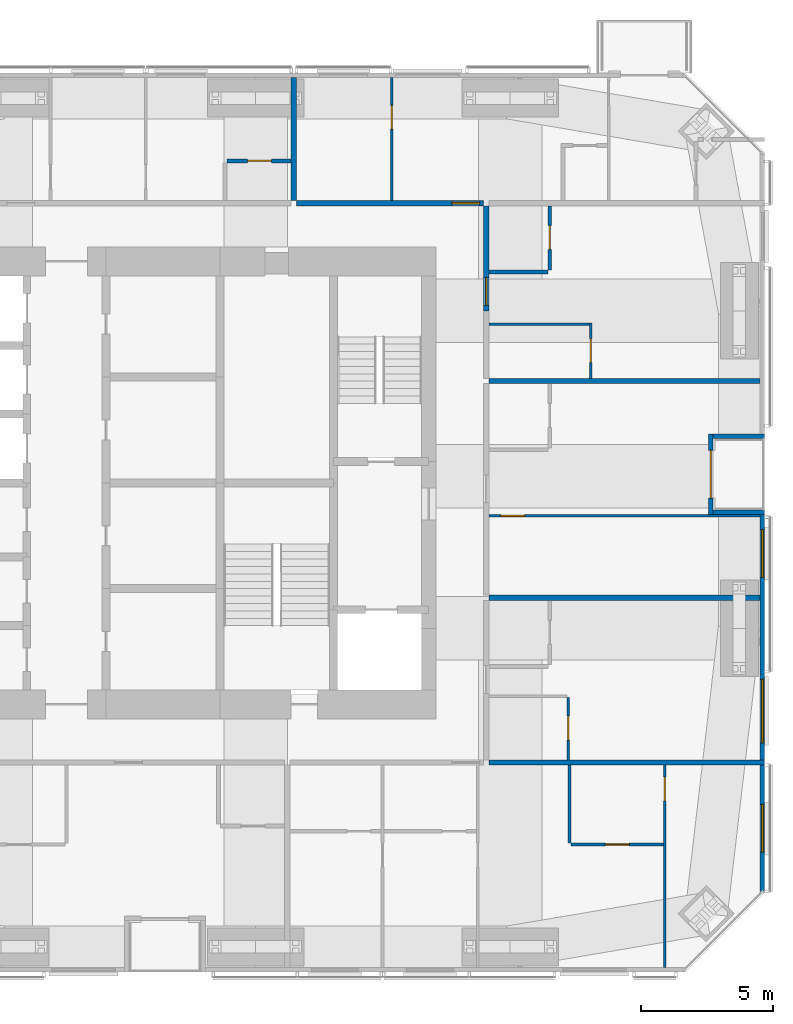
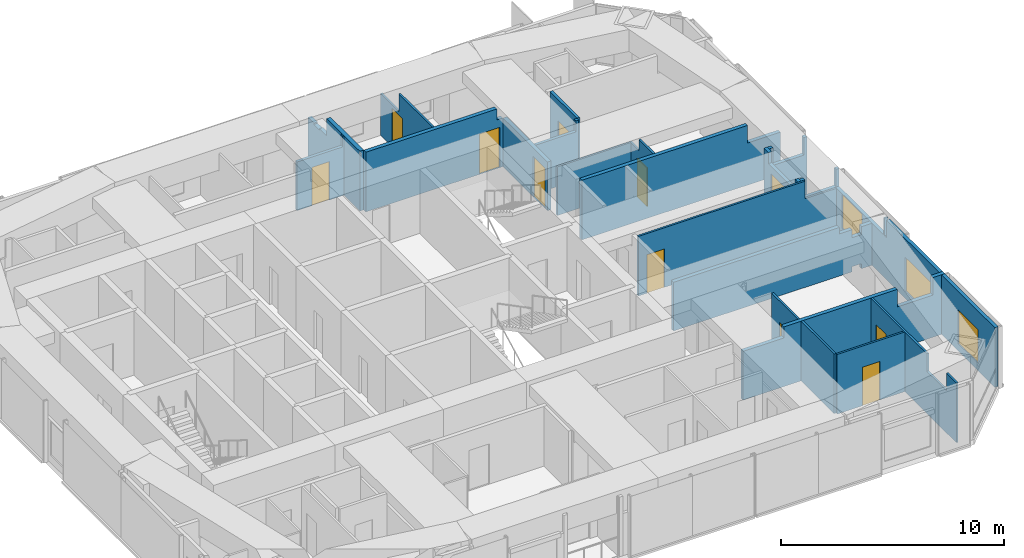
# One storey, part 17 of 19: 21 walls, 11 doors, 3 windows, 14 openings.
"""IFC4 building model written with IfcOpenShell, lengths in metres."""

import ifcopenshell
import ifcopenshell.guid

model = None  # the IFC model being written
_history = None  # IfcOwnerHistory: only IFC2X3 demands one
_inside = {}  # id of a spatial element -> (the spatial element, [elements in it])
_under = {}  # id of a project, library or spatial element -> (it, [spatial elements below it])
_declared = {}  # id of a project -> (the project, [libraries it declares])
_typed = {}  # id of a type object -> (the type object, [elements of that type])
_made_of = {}  # id of a material, layer set ... -> (it, [elements and type objects made of it])


def new_model(schema):
    """Start an empty IFC model of exactly this schema.

    Asked for "IFC4X3", IfcOpenShell would pick the latest addendum, in which some entities
    have other attributes; the version numbers below select the first issue.
    IFC2X3 requires an IfcOwnerHistory on every rooted entity: one is made here for all.
    """
    global model, _history
    if schema == "IFC4X3":
        model = ifcopenshell.file(schema_version=(4, 3, 0, 0))
    else:
        model = ifcopenshell.file(schema=schema)
    _inside.clear()
    _under.clear()
    _declared.clear()
    _typed.clear()
    _made_of.clear()
    _history = None
    if model.schema == "IFC2X3":
        org = make("IfcOrganization", Name="unknown")
        user = make(
            "IfcPersonAndOrganization",
            ThePerson=make("IfcPerson", FamilyName="unknown"),
            TheOrganization=org,
        )
        app = make(
            "IfcApplication",
            ApplicationDeveloper=org,
            Version="unknown",
            ApplicationFullName="unknown",
            ApplicationIdentifier="unknown",
        )
        _history = make(
            "IfcOwnerHistory",
            OwningUser=user,
            OwningApplication=app,
            ChangeAction="ADDED",
            CreationDate=0,
        )
    return model


def make(cls, **values):
    """One entity of the class cls with the attributes given. An attribute that is None is left unset."""
    return model.create_entity(
        cls, **{name: value for name, value in values.items() if value is not None}
    )


def rooted(cls, **values):
    """An entity with a GlobalId (a new one), such as an element, a storey or a relation."""
    return make(cls, GlobalId=ifcopenshell.guid.new(), OwnerHistory=_history, **values)


def si_unit(unit_type, name, prefix=None):
    """IfcSIUnit, for example si_unit("LENGTHUNIT", "METRE", prefix="MILLI")."""
    return make("IfcSIUnit", UnitType=unit_type, Prefix=prefix, Name=name)


def assignment(units):
    """IfcUnitAssignment: the units of a project."""
    return None if units is None else make("IfcUnitAssignment", Units=units)


def point(xyz):
    """IfcCartesianPoint."""
    return None if xyz is None else make("IfcCartesianPoint", Coordinates=xyz)


def direction(xyz):
    """IfcDirection."""
    return None if xyz is None else make("IfcDirection", DirectionRatios=xyz)


def frame(location, z_axis=None, x_axis=None):
    """IfcAxis2Placement3D, a coordinate frame: its origin and axes. An axis left out is left unset."""
    return make(
        "IfcAxis2Placement3D",
        Location=point(location),
        Axis=direction(z_axis),
        RefDirection=direction(x_axis),
    )


def frame_2d(location, x_axis=None):
    """IfcAxis2Placement2D, a coordinate frame in the plane: its origin and x axis."""
    return make(
        "IfcAxis2Placement2D", Location=point(location), RefDirection=direction(x_axis)
    )


def origin():
    """The frame at (0, 0, 0) with its axes left unset."""
    return frame((0.0, 0.0, 0.0))


def place(relative_to, where):
    """IfcLocalPlacement: puts the frame where relative to a parent placement (None: the world)."""
    return make(
        "IfcLocalPlacement", PlacementRelTo=relative_to, RelativePlacement=where
    )


def context(
    kind, dimensions, precision=None, world=None, true_north=None, identifier=None
):
    """IfcGeometricRepresentationContext, for example the 3D "Model" context."""
    return make(
        "IfcGeometricRepresentationContext",
        ContextIdentifier=identifier,
        ContextType=kind,
        CoordinateSpaceDimension=dimensions,
        Precision=precision,
        WorldCoordinateSystem=world,
        TrueNorth=true_north,
    )


def subcontext(parent, identifier, kind, view, scale=None):
    """IfcGeometricRepresentationSubContext, for example "Body" below "Model"."""
    return make(
        "IfcGeometricRepresentationSubContext",
        ContextIdentifier=identifier,
        ContextType=kind,
        ParentContext=parent,
        TargetScale=scale,
        TargetView=view,
    )


def project(units=None, contexts=None):
    """IfcProject with its units and contexts."""
    return rooted(
        "IfcProject",
        Name="project",
        RepresentationContexts=contexts,
        UnitsInContext=assignment(units),
    )


def spatial(cls, under=None, at=None, **own):
    """A site, building, storey or space (cls), placed at a placement, below another one or the project."""
    s = rooted(cls, ObjectPlacement=at, **own)
    if under is not None:
        _under.setdefault(under.id(), (under, []))[1].append(s)
    return s


def polyline(points):
    """IfcPolyline through the points."""
    return make("IfcPolyline", Points=[point(p) for p in points])


def profile(cls, at=None, kind="AREA", **sizes):
    """A parametric profile (cls). Its sizes go by their IFC names, for example OverallWidth=200.0."""
    return make(cls, ProfileType=kind, Position=at, **sizes)


def rectangle(**sizes):
    """IfcRectangleProfileDef."""
    return profile("IfcRectangleProfileDef", **sizes)


def outline(outer, holes=None, kind="AREA"):
    """IfcArbitraryClosedProfileDef: a profile drawn as a closed curve; with holes, ...WithVoids."""
    if holes is None:
        return make("IfcArbitraryClosedProfileDef", ProfileType=kind, OuterCurve=outer)
    return make(
        "IfcArbitraryProfileDefWithVoids",
        ProfileType=kind,
        OuterCurve=outer,
        InnerCurves=holes,
    )


def extrude(swept, where, along, depth):
    """IfcExtrudedAreaSolid: the profile swept, set in the frame where, extruded along a direction by depth."""
    return make(
        "IfcExtrudedAreaSolid",
        SweptArea=swept,
        Position=where,
        ExtrudedDirection=direction(along),
        Depth=depth,
    )


def shape(context_of_items, identifier, shape_type, items):
    """IfcShapeRepresentation: the items that make up one representation, for example the "Body"."""
    return make(
        "IfcShapeRepresentation",
        ContextOfItems=context_of_items,
        RepresentationIdentifier=identifier,
        RepresentationType=shape_type,
        Items=items,
    )


def material(Name=None, Category=None):
    """IfcMaterial."""
    return make("IfcMaterial", Name=Name, Category=Category)


def constituent(of_material, Name=None, Category=None, fraction=None):
    """IfcMaterialConstituent: one of the materials an element consists of."""
    return make(
        "IfcMaterialConstituent",
        Name=Name,
        Material=of_material,
        Fraction=fraction,
        Category=Category,
    )


def constituent_set(constituents=None, Name=None):
    """IfcMaterialConstituentSet."""
    return make(
        "IfcMaterialConstituentSet", Name=Name, MaterialConstituents=constituents
    )


def made_of(thing, what):
    """Note that an element or type object is made of a material, layer set ...; save() writes the relation."""
    if what is not None:
        _made_of.setdefault(what.id(), (what, []))[1].append(thing)
    return thing


def type_object(cls, material=None, **own):
    """A type object (cls), such as IfcWallType, which elements share."""
    return made_of(rooted(cls, **own), material)


def element(
    cls,
    number,
    at=None,
    inside=None,
    cuts=None,
    type_object=None,
    material=None,
    context=None,
    identifier="Body",
    shape_type=None,
    held_by="IfcProductDefinitionShape",
    body=None,
    shapes=None,
    **own,
):
    """One element of the class cls, such as IfcWall. Its Tag is "e" and its number.

    at: its placement. inside: the storey or other place that contains it. cuts: it is an
    opening in that element (IfcRelVoidsElement). A single representation is given by context,
    identifier, shape_type and body (its items); several are given by shapes. held_by: the class
    of the entity that holds the representations. save() writes the other relations.
    """
    e = rooted(cls, Tag="e%d" % number, ObjectPlacement=at, **own)
    if body is not None:
        shapes = [shape(context, identifier, shape_type, body)]
    if shapes is not None:
        e.Representation = make(held_by, Representations=shapes)
    if inside is not None:
        _inside.setdefault(inside.id(), (inside, []))[1].append(e)
    if cuts is not None:
        rooted(
            "IfcRelVoidsElement", RelatingBuildingElement=cuts, RelatedOpeningElement=e
        )
    if type_object is not None:
        _typed.setdefault(type_object.id(), (type_object, []))[1].append(e)
    return made_of(e, material)


def fill(opening, filler):
    """IfcRelFillsElement: the door or window that sits in an opening."""
    return rooted(
        "IfcRelFillsElement",
        RelatingOpeningElement=opening,
        RelatedBuildingElement=filler,
    )


def aggregate(whole, parts):
    """IfcRelAggregates: a whole, such as a stair, and the parts it consists of."""
    return rooted("IfcRelAggregates", RelatingObject=whole, RelatedObjects=parts)


def save(model, path):
    """Write the relations noted so far, then the file.

    IfcRelAggregates (storeys below a building ...), IfcRelContainedInSpatialStructure (elements
    in a storey), IfcRelDefinesByType, IfcRelAssociatesMaterial and IfcRelDeclares: one each for
    every whole, place, type object, material and project.
    """
    for whole, parts in _under.values():
        aggregate(whole, parts)
    for where, things in _inside.values():
        rooted(
            "IfcRelContainedInSpatialStructure",
            RelatedElements=things,
            RelatingStructure=where,
        )
    for kind, things in _typed.values():
        rooted("IfcRelDefinesByType", RelatedObjects=things, RelatingType=kind)
    for what, things in _made_of.values():
        rooted("IfcRelAssociatesMaterial", RelatedObjects=things, RelatingMaterial=what)
    for by, libraries in _declared.values():
        rooted("IfcRelDeclares", RelatingContext=by, RelatedDefinitions=libraries)
    model.write(path)


model = new_model("IFC4")

# Units and contexts
model_context = context("Model", 3, precision=1e-05, world=origin(), true_north=direction((0.0, 1.0)))
body_context = subcontext(model_context, "Body", "Model", "MODEL_VIEW")
ifc_project = project(units=[si_unit("LENGTHUNIT", "METRE"), si_unit("AREAUNIT", "SQUARE_METRE"), si_unit("VOLUMEUNIT", "CUBIC_METRE"), si_unit("PLANEANGLEUNIT", "RADIAN"), si_unit("MASSUNIT", "GRAM", prefix="KILO")], contexts=[model_context])

# Site, building, storey
site_placement = place(None, origin())
site = spatial("IfcSite", under=ifc_project, at=site_placement, CompositionType="ELEMENT")
building_placement = place(site_placement, origin())
building = spatial("IfcBuilding", under=site, at=building_placement, Name="Jalousie Tower", CompositionType="ELEMENT")
storey_placement = place(building_placement, frame((0.0, 0.0, 217.949951171875)))
storey = spatial("IfcBuildingStorey", under=building, at=storey_placement, Name="L59", CompositionType="ELEMENT", Elevation=217.949951171875)

# Wall, opening, door
ifc_material_1 = material(Name="Concrete block ASTM C90", Category="concrete")
ifc_constituent_1 = constituent(ifc_material_1, Name="Body")
ifc_material_2 = material(Name="Render")
ifc_constituent_2 = constituent(ifc_material_2, Name="Finish")
ifc_constituent_set_1 = constituent_set(constituents=[ifc_constituent_1, ifc_constituent_2])
wall_type_1 = type_object("IfcWallType", Name="BATHROOM WALL 150", PredefinedType="PLUMBINGWALL", material=ifc_constituent_set_1)
wall_1_placement = place(storey_placement, frame((36.175048828125, 30.675048828125, 0.0), z_axis=(0.0, 0.0, 1.0), x_axis=(1.0, 0.0, 0.0)))
wall_1 = element("IfcWall", 1, at=wall_1_placement, inside=storey, type_object=wall_type_1, Name="Bathroom Wall 150 L59", PredefinedType="PLUMBINGWALL", context=body_context, shape_type="SweptSolid", body=[
    extrude(outline(polyline([(0.0, 0.0), (2.425048828125, 0.0), (2.425048828125, 3.260009765625), (2.360107421875, 3.260009765625), (2.360107421875, 2.66015625), (0.0, 2.66015625), (0.0, 3.260009765625), (0.0, 0.0)])), frame((0.0, 0.074951171875, 0.0), z_axis=(0.0, -1.0, 0.0), x_axis=(1.0, 0.0, 0.0)), (0.0, 0.0, 1.0), 0.14990234375),
])
opening_1_placement = place(wall_1_placement, frame((0.77490234375, 0.0, 0.0)))
opening_1 = element("IfcOpeningElement", 2, at=opening_1_placement, cuts=wall_1, Name="Opening D3", PredefinedType="OPENING", context=body_context, shape_type="SweptSolid", body=[
    extrude(rectangle(XDim=0.89990234375, YDim=2.10009765625, at=frame_2d((0.449951171875, 1.050048828125))), frame((0.0, 0.0849609375, 0.0), z_axis=(0.0, -1.0, 0.0), x_axis=(1.0, 0.0, 0.0)), (0.0, 0.0, 1.0), 0.169921875),
])
ifc_material_3 = material(Name="Timber door", Category="wood")
door_type_1 = type_object("IfcDoorType", Name="BATHROOM DOOR 900", OperationType="SINGLE_SWING_LEFT", PredefinedType="DOOR", material=ifc_material_3)
door_1_placement = place(opening_1_placement, frame((0.89990234375, 0.0, 0.0), z_axis=(0.0, 0.0, 1.0), x_axis=(-1.0, 0.0, 0.0)))
door_1 = element("IfcDoor", 3, at=door_1_placement, inside=storey, type_object=door_type_1, Name="Apartment 5904 bathroom door", OperationType="SINGLE_SWING_LEFT", OverallHeight=2.10009765625, OverallWidth=0.89990234375, PredefinedType="DOOR", context=body_context, shape_type="SweptSolid", body=[
    extrude(rectangle(XDim=0.89990234375, YDim=2.10009765625, at=frame_2d((0.449951171875, 1.050048828125))), frame((0.0, 0.02490234375, 0.0), z_axis=(0.0, -1.0, 0.0), x_axis=(1.0, 0.0, 0.0)), (0.0, 0.0, 1.0), 0.050048828125),
])
fill(opening_1, door_1)

wall_2_placement = place(storey_placement, frame((48.375, 26.550048828125, 0.0), z_axis=(0.0, 0.0, 1.0), x_axis=(0.0, 1.0, 0.0)))
wall_2 = element("IfcWall", 4, at=wall_2_placement, inside=storey, type_object=wall_type_1, Name="Bathroom Wall 150 L59", PredefinedType="PLUMBINGWALL", context=body_context, shape_type="SweptSolid", body=[
    extrude(rectangle(XDim=2.425048828125, YDim=0.14990234375, at=frame_2d((1.21240234375, 0.0))), origin(), (0.0, 0.0, 1.0), 3.260009765625),
])
opening_2_placement = place(wall_2_placement, frame((0.77490234375, 0.0, 0.0)))
opening_2 = element("IfcOpeningElement", 5, at=opening_2_placement, cuts=wall_2, Name="Opening D3", PredefinedType="OPENING", context=body_context, shape_type="SweptSolid", body=[
    extrude(rectangle(XDim=0.89990234375, YDim=2.10009765625, at=frame_2d((0.449951171875, 1.050048828125))), frame((0.0, 0.0849609375, 0.0), z_axis=(0.0, -1.0, 0.0), x_axis=(1.0, 0.0, 0.0)), (0.0, 0.0, 1.0), 0.169921875),
])
door_2_placement = place(opening_2_placement, origin())
door_2 = element("IfcDoor", 6, at=door_2_placement, inside=storey, type_object=door_type_1, Name="Apartment 5908 bathroom door", OperationType="SINGLE_SWING_RIGHT", OverallHeight=2.10009765625, OverallWidth=0.89990234375, PredefinedType="DOOR", context=body_context, shape_type="SweptSolid", body=[
    extrude(rectangle(XDim=0.89990234375, YDim=2.10009765625, at=frame_2d((0.449951171875, 1.050048828125))), frame((0.0, 0.02490234375, 0.0), z_axis=(0.0, -1.0, 0.0), x_axis=(1.0, 0.0, 0.0)), (0.0, 0.0, 1.0), 0.050048828125),
])
fill(opening_2, door_2)

# Wall
wall_3_placement = place(storey_placement, frame((48.300048828125, 26.47509765625, 0.0), z_axis=(0.0, 0.0, 1.0), x_axis=(-1.0, 0.0, 0.0)))
element("IfcWall", 7, at=wall_3_placement, inside=storey, type_object=wall_type_1, Name="Bathroom Wall 150 L59", PredefinedType="PLUMBINGWALL", context=body_context, shape_type="SweptSolid", body=[
    extrude(outline(polyline([(0.0, 0.0), (2.22509765625, 0.0), (2.22509765625, 3.260009765625), (2.22509765625, 2.66015625), (0.139892578125, 2.66015625), (0.139892578125, 3.260009765625), (0.0, 3.260009765625), (0.0, 0.0)])), frame((0.0, 0.074951171875, 0.0), z_axis=(0.0, -1.0, 0.0), x_axis=(1.0, 0.0, 0.0)), (0.0, 0.0, 1.0), 0.14990234375),
])

# Wall, opening, door
ifc_material_4 = material(Name="Concrete block ASTM C90", Category="concrete")
ifc_constituent_3 = constituent(ifc_material_4, Name="Body")
ifc_material_5 = material(Name="Render")
ifc_constituent_4 = constituent(ifc_material_5, Name="Finish")
ifc_constituent_set_2 = constituent_set(constituents=[ifc_constituent_3, ifc_constituent_4])
wall_type_2 = type_object("IfcWallType", Name="CORRIDOR WALL 200", PredefinedType="PARTITIONING", material=ifc_constituent_set_2)
wall_4_placement = place(storey_placement, frame((38.800048828125, 29.074951171875, 0.0), z_axis=(0.0, 0.0, 1.0), x_axis=(1.0, 0.0, 0.0)))
wall_4 = element("IfcWall", 8, at=wall_4_placement, inside=storey, type_object=wall_type_2, Name="Corridor Wall 200 L59", PredefinedType="PARTITIONING", context=body_context, shape_type="SweptSolid", body=[
    extrude(outline(polyline([(0.0, 0.0), (7.074951171875, 0.0), (7.074951171875, 3.260009765625), (7.074951171875, 2.66015625), (6.764892578125, 2.66015625), (6.764892578125, 3.260009765625), (0.0, 3.260009765625), (0.0, 0.0)])), frame((0.0, 0.10009765625, 0.0), z_axis=(0.0, -1.0, 0.0), x_axis=(1.0, 0.0, 0.0)), (0.0, 0.0, 1.0), 0.199951171875),
])
opening_3_placement = place(wall_4_placement, frame((5.875, 0.0, 0.0)))
opening_3 = element("IfcOpeningElement", 9, at=opening_3_placement, cuts=wall_4, Name="Opening D1", PredefinedType="OPENING", context=body_context, shape_type="SweptSolid", body=[
    extrude(rectangle(XDim=1.050048828125, YDim=2.199951171875, at=frame_2d((0.52490234375, 1.10009765625))), frame((0.0, 0.10986328125, 0.0), z_axis=(0.0, -1.0, 0.0), x_axis=(1.0, 0.0, 0.0)), (0.0, 0.0, 1.0), 0.219970703125),
])
ifc_material_6 = material(Name="Timber fire door", Category="wood")
door_type_2 = type_object("IfcDoorType", Name="APARTMENT ENTRANCE DOOR 1050", OperationType="SINGLE_SWING_LEFT", PredefinedType="DOOR", material=ifc_material_6)
door_3_placement = place(opening_3_placement, origin())
door_3 = element("IfcDoor", 10, at=door_3_placement, inside=storey, type_object=door_type_2, Name="Apartment 5905 entrance", OperationType="SINGLE_SWING_LEFT", OverallHeight=2.199951171875, OverallWidth=1.050048828125, PredefinedType="DOOR", context=body_context, shape_type="SweptSolid", body=[
    extrude(rectangle(XDim=1.050048828125, YDim=2.199951171875, at=frame_2d((0.52490234375, 1.10009765625))), frame((0.0, 0.02490234375, 0.0), z_axis=(0.0, -1.0, 0.0), x_axis=(1.0, 0.0, 0.0)), (0.0, 0.0, 1.0), 0.050048828125),
])
fill(opening_3, door_3)

wall_5_placement = place(storey_placement, frame((45.97509765625, 25.0, 0.0), z_axis=(0.0, 0.0, 1.0), x_axis=(0.0, 1.0, 0.0)))
wall_5 = element("IfcWall", 11, at=wall_5_placement, inside=storey, type_object=wall_type_2, Name="Corridor Wall 200 L59-B", PredefinedType="PARTITIONING", context=body_context, shape_type="SweptSolid", body=[
    extrude(rectangle(XDim=3.97509765625, YDim=0.199951171875, at=frame_2d((1.987548828125, 0.0))), origin(), (0.0, 0.0, 1.0), 2.66015625),
])
opening_4_placement = place(wall_5_placement, frame((0.21240234375, 0.0, 0.0)))
opening_4 = element("IfcOpeningElement", 12, at=opening_4_placement, cuts=wall_5, Name="Opening D1", PredefinedType="OPENING", context=body_context, shape_type="SweptSolid", body=[
    extrude(rectangle(XDim=1.050048828125, YDim=2.199951171875, at=frame_2d((0.52490234375, 1.10009765625))), frame((0.0, 0.10986328125, 0.0), z_axis=(0.0, -1.0, 0.0), x_axis=(1.0, 0.0, 0.0)), (0.0, 0.0, 1.0), 0.219970703125),
])
door_4_placement = place(opening_4_placement, frame((1.050048828125, 0.0, 0.0), z_axis=(0.0, 0.0, 1.0), x_axis=(-1.0, 0.0, 0.0)))
door_4 = element("IfcDoor", 13, at=door_4_placement, inside=storey, type_object=door_type_2, Name="Apartment 5908 entrance", OperationType="SINGLE_SWING_LEFT", OverallHeight=2.199951171875, OverallWidth=1.050048828125, PredefinedType="DOOR", context=body_context, shape_type="SweptSolid", body=[
    extrude(rectangle(XDim=1.050048828125, YDim=2.199951171875, at=frame_2d((0.52490234375, 1.10009765625))), frame((0.0, 0.02490234375, 0.0), z_axis=(0.0, -1.0, 0.0), x_axis=(1.0, 0.0, 0.0)), (0.0, 0.0, 1.0), 0.050048828125),
])
fill(opening_4, door_4)

# Wall, openings, windows
ifc_material_7 = material(Name="Concrete f'c 40 MPa", Category="concrete")
ifc_constituent_5 = constituent(ifc_material_7, Name="Body")
ifc_material_8 = material(Name="Render, pastel sky blue")
ifc_constituent_6 = constituent(ifc_material_8, Name="Finish")
ifc_constituent_set_3 = constituent_set(constituents=[ifc_constituent_5, ifc_constituent_6])
wall_type_3 = type_object("IfcWallType", Name="EXTERNAL WALL 175 SKY BLUE RENDER", PredefinedType="SOLIDWALL", material=ifc_constituent_set_3)
wall_6_placement = place(storey_placement, frame((56.41259765625, 3.05126953125, 0.0), z_axis=(0.0, 0.0, 1.0), x_axis=(0.0, 1.0, 0.0)))
wall_6 = element("IfcWall", 14, at=wall_6_placement, inside=storey, type_object=wall_type_3, Name="External Wall 175 Sky Blue Render L59", PredefinedType="SOLIDWALL", context=body_context, shape_type="SweptSolid", body=[
    extrude(outline(polyline([(0.0, 0.0), (14.248779296875, 0.0), (14.248779296875, 2.300048828125), (9.94873046875, 2.300048828125), (9.94873046875, 3.260009765625), (9.8583984375, 3.260009765625), (9.8583984375, 2.300048828125), (9.6875, 2.300048828125), (9.6875, 3.260009765625), (0.0, 3.260009765625), (0.0, 0.0)])), frame((0.0, 0.08740234375, 0.0), z_axis=(0.0, -1.0, 0.0), x_axis=(1.0, 0.0, 0.0)), (0.0, 0.0, 1.0), 0.175048828125),
])
opening_5_placement = place(wall_6_placement, frame((1.48681640625, 0.0, 0.39990234375)))
opening_5 = element("IfcOpeningElement", 15, at=opening_5_placement, cuts=wall_6, Name="Opening W-BED185", PredefinedType="OPENING", context=body_context, shape_type="SweptSolid", body=[
    extrude(rectangle(XDim=1.800048828125, YDim=1.85009765625, at=frame_2d((0.89990234375, 0.925048828125))), frame((0.0, 0.097412109375, 0.0), z_axis=(0.0, -1.0, 0.0), x_axis=(1.0, 0.0, 0.0)), (0.0, 0.0, 1.0), 0.195068359375),
])
opening_6_placement = place(wall_6_placement, frame((5.6162109375, 0.0, 0.39990234375)))
opening_6 = element("IfcOpeningElement", 16, at=opening_6_placement, cuts=wall_6, Name="Opening W-LIV185", PredefinedType="OPENING", context=body_context, shape_type="SweptSolid", body=[
    extrude(rectangle(XDim=2.39990234375, YDim=1.85009765625, at=frame_2d((1.199951171875, 0.925048828125))), frame((0.0, 0.097412109375, 0.0), z_axis=(0.0, -1.0, 0.0), x_axis=(1.0, 0.0, 0.0)), (0.0, 0.0, 1.0), 0.195068359375),
])
opening_7_placement = place(wall_6_placement, frame((11.875, 0.0, 0.39990234375)))
opening_7 = element("IfcOpeningElement", 17, at=opening_7_placement, cuts=wall_6, Name="Opening W-BED185", PredefinedType="OPENING", context=body_context, shape_type="SweptSolid", body=[
    extrude(rectangle(XDim=1.800048828125, YDim=1.85009765625, at=frame_2d((0.89990234375, 0.925048828125))), frame((0.0, 0.097412109375, 0.0), z_axis=(0.0, -1.0, 0.0), x_axis=(1.0, 0.0, 0.0)), (0.0, 0.0, 1.0), 0.195068359375),
])
ifc_material_9 = material(Name="Aluminium frame, impact-rated glazing", Category="aluminium")
window_type_1 = type_object("IfcWindowType", Name="WINDOW BED 1800x1850", PartitioningType="SINGLE_PANEL", PredefinedType="WINDOW", material=ifc_material_9)
window_1_placement = place(opening_5_placement, origin())
window_1 = element("IfcWindow", 18, at=window_1_placement, inside=storey, type_object=window_type_1, Name="Apartment 5903 study window", OverallHeight=1.85009765625, OverallWidth=1.800048828125, PartitioningType="SINGLE_PANEL", PredefinedType="WINDOW", context=body_context, shape_type="SweptSolid", body=[
    extrude(rectangle(XDim=1.800048828125, YDim=1.85009765625, at=frame_2d((0.89990234375, 0.925048828125))), frame((0.0, 0.030029296875, 0.0), z_axis=(0.0, -1.0, 0.0), x_axis=(1.0, 0.0, 0.0)), (0.0, 0.0, 1.0), 0.06005859375),
])
fill(opening_5, window_1)
window_2_placement = place(opening_7_placement, origin())
window_2 = element("IfcWindow", 19, at=window_2_placement, inside=storey, type_object=window_type_1, Name="Apartment 5907 study window", OverallHeight=1.85009765625, OverallWidth=1.800048828125, PartitioningType="SINGLE_PANEL", PredefinedType="WINDOW", context=body_context, shape_type="SweptSolid", body=[
    extrude(rectangle(XDim=1.800048828125, YDim=1.85009765625, at=frame_2d((0.89990234375, 0.925048828125))), frame((0.0, 0.030029296875, 0.0), z_axis=(0.0, -1.0, 0.0), x_axis=(1.0, 0.0, 0.0)), (0.0, 0.0, 1.0), 0.06005859375),
])
fill(opening_7, window_2)
ifc_material_10 = material(Name="Aluminium frame, impact-rated glazing", Category="aluminium")
window_type_2 = type_object("IfcWindowType", Name="WINDOW LIV 2400x1850", PartitioningType="DOUBLE_PANEL_VERTICAL", PredefinedType="WINDOW", material=ifc_material_10)
window_3_placement = place(opening_6_placement, origin())
window_3 = element("IfcWindow", 20, at=window_3_placement, inside=storey, type_object=window_type_2, Name="Apartment 5906 studio living and sleeping room window", OverallHeight=1.85009765625, OverallWidth=2.39990234375, PartitioningType="SINGLE_PANEL", PredefinedType="WINDOW", context=body_context, shape_type="SweptSolid", body=[
    extrude(rectangle(XDim=2.39990234375, YDim=1.85009765625, at=frame_2d((1.199951171875, 0.925048828125))), frame((0.0, 0.030029296875, 0.0), z_axis=(0.0, -1.0, 0.0), x_axis=(1.0, 0.0, 0.0)), (0.0, 0.0, 1.0), 0.06005859375),
])
fill(opening_6, window_3)

# Wall, opening, door
wall_7_placement = place(storey_placement, frame((54.46240234375, 17.300048828125, 0.0), z_axis=(0.0, 0.0, 1.0), x_axis=(0.0, 1.0, 0.0)))
wall_7 = element("IfcWall", 21, at=wall_7_placement, inside=storey, type_object=wall_type_3, Name="External Wall 175 Sky Blue Render L59", PredefinedType="SOLIDWALL", context=body_context, shape_type="SweptSolid", body=[
    extrude(outline(polyline([(0.0, 0.0), (3.050048828125, 0.0), (3.050048828125, 3.260009765625), (2.64990234375, 3.260009765625), (2.64990234375, 2.66015625), (0.25, 2.66015625), (0.25, 3.260009765625), (0.0, 3.260009765625), (0.0, 0.0)])), frame((0.0, 0.08740234375, 0.0), z_axis=(0.0, -1.0, 0.0), x_axis=(1.0, 0.0, 0.0)), (0.0, 0.0, 1.0), 0.175048828125),
])
opening_8_placement = place(wall_7_placement, frame((0.625, 0.0, 0.0)))
opening_8 = element("IfcOpeningElement", 22, at=opening_8_placement, cuts=wall_7, Name="Opening D-BAL22", PredefinedType="OPENING", context=body_context, shape_type="SweptSolid", body=[
    extrude(rectangle(XDim=1.800048828125, YDim=2.25, at=frame_2d((0.89990234375, 1.125))), frame((0.0, 0.097412109375, 0.0), z_axis=(0.0, -1.0, 0.0), x_axis=(1.0, 0.0, 0.0)), (0.0, 0.0, 1.0), 0.195068359375),
])
ifc_material_11 = material(Name="Aluminium frame, impact-rated glazing", Category="aluminium")
door_type_3 = type_object("IfcDoorType", Name="BALCONY DOOR 1800x2250", OperationType="SLIDING_TO_LEFT", PredefinedType="DOOR", material=ifc_material_11)
door_5_placement = place(opening_8_placement, origin())
door_5 = element("IfcDoor", 23, at=door_5_placement, inside=storey, type_object=door_type_3, Name="Apartment 5907 studio kitchen, living and sleeping room loggia door", OperationType="SLIDING_TO_LEFT", OverallHeight=2.25, OverallWidth=1.800048828125, PredefinedType="DOOR", context=body_context, shape_type="SweptSolid", body=[
    extrude(rectangle(XDim=1.800048828125, YDim=2.25, at=frame_2d((0.89990234375, 1.125))), frame((0.0, 0.02490234375, 0.0), z_axis=(0.0, -1.0, 0.0), x_axis=(1.0, 0.0, 0.0)), (0.0, 0.0, 1.0), 0.050048828125),
])
fill(opening_8, door_5)

# Walls
for number, where, z_axis, x_axis, name in (
    (24, (56.5, 17.387451171875, 0.0), (0.0, 0.0, 1.0), (-1.0, 0.0, 0.0), "External Wall 175 Sky Blue Render L59"),
    (25, (56.5, 20.262451171875, 0.0), (0.0, 0.0, 1.0), (-1.0, 0.0, 0.0), "External Wall 175 Sky Blue Render L59"),
):
    element("IfcWall", number, at=place(storey_placement, frame(where, z_axis=z_axis, x_axis=x_axis)), inside=storey, type_object=wall_type_3, Name=name, PredefinedType="SOLIDWALL", context=body_context, shape_type="SweptSolid", body=[
        extrude(outline(polyline([(0.0, 0.0), (1.949951171875, 0.0), (1.949951171875, 3.260009765625), (1.75, 3.260009765625), (1.75, 2.300048828125), (0.14990234375, 2.300048828125), (0.14990234375, 3.260009765625), (0.0, 3.260009765625), (0.0, 0.0)])), frame((0.0, 0.08740234375, 0.0), z_axis=(0.0, -1.0, 0.0), x_axis=(1.0, 0.0, 0.0)), (0.0, 0.0, 1.0), 0.175048828125),
    ])

# Wall, opening, door
ifc_material_12 = material(Name="Gypsum board", Category="gypsum")
ifc_constituent_7 = constituent(ifc_material_12, Name="Body")
ifc_material_13 = material(Name="Light-gauge steel studs ASTM A653 SS Grade 33", Category="steel")
ifc_constituent_8 = constituent(ifc_material_13, Name="Framing")
ifc_constituent_set_4 = constituent_set(constituents=[ifc_constituent_7, ifc_constituent_8])
wall_type_4 = type_object("IfcWallType", Name="PARTITION 100", PredefinedType="PARTITIONING", material=ifc_constituent_set_4)
wall_8_placement = place(storey_placement, frame((52.72509765625, 0.175048828125, 0.0), z_axis=(0.0, 0.0, 1.0), x_axis=(0.0, 1.0, 0.0)))
wall_8 = element("IfcWall", 26, at=wall_8_placement, inside=storey, type_object=wall_type_4, Name="Partition 100 L59", PredefinedType="PARTITIONING", context=body_context, shape_type="SweptSolid", body=[
    extrude(outline(polyline([(0.0, 0.0), (7.64990234375, 0.0), (7.64990234375, 3.260009765625), (2.638671875, 3.260009765625), (2.638671875, 2.300048828125), (0.89404296875, 2.300048828125), (0.89404296875, 3.260009765625), (0.0, 3.260009765625), (0.0, 0.0)])), frame((0.0, 0.050048828125, 0.0), z_axis=(0.0, -1.0, 0.0), x_axis=(1.0, 0.0, 0.0)), (0.0, 0.0, 1.0), 0.10009765625),
])
opening_9_placement = place(wall_8_placement, frame((6.300048828125, 0.0, 0.0)))
opening_9 = element("IfcOpeningElement", 27, at=opening_9_placement, cuts=wall_8, Name="Opening D2", PredefinedType="OPENING", context=body_context, shape_type="SweptSolid", body=[
    extrude(rectangle(XDim=0.89990234375, YDim=2.10009765625, at=frame_2d((0.449951171875, 1.050048828125))), frame((0.0, 0.06005859375, 0.0), z_axis=(0.0, -1.0, 0.0), x_axis=(1.0, 0.0, 0.0)), (0.0, 0.0, 1.0), 0.1201171875),
])
ifc_material_14 = material(Name="Timber door", Category="wood")
door_type_4 = type_object("IfcDoorType", Name="BEDROOM DOOR 900", OperationType="SINGLE_SWING_LEFT", PredefinedType="DOOR", material=ifc_material_14)
door_6_placement = place(opening_9_placement, frame((0.89990234375, 0.0, 0.0), z_axis=(0.0, 0.0, 1.0), x_axis=(-1.0, 0.0, 0.0)))
door_6 = element("IfcDoor", 28, at=door_6_placement, inside=storey, type_object=door_type_4, Name="Apartment 5903 study door", OperationType="SINGLE_SWING_LEFT", OverallHeight=2.10009765625, OverallWidth=0.89990234375, PredefinedType="DOOR", context=body_context, shape_type="SweptSolid", body=[
    extrude(rectangle(XDim=0.89990234375, YDim=2.10009765625, at=frame_2d((0.449951171875, 1.050048828125))), frame((0.0, 0.02490234375, 0.0), z_axis=(0.0, -1.0, 0.0), x_axis=(1.0, 0.0, 0.0)), (0.0, 0.0, 1.0), 0.050048828125),
])
fill(opening_9, door_6)

wall_9_placement = place(storey_placement, frame((49.175048828125, 4.824951171875, 0.0), z_axis=(0.0, 0.0, 1.0), x_axis=(1.0, 0.0, 0.0)))
wall_9 = element("IfcWall", 29, at=wall_9_placement, inside=storey, type_object=wall_type_4, Name="Partition 100 L59", PredefinedType="PARTITIONING", context=body_context, shape_type="SweptSolid", body=[
    extrude(rectangle(XDim=3.5, YDim=0.10009765625, at=frame_2d((1.75, 0.0))), origin(), (0.0, 0.0, 1.0), 3.260009765625),
])
opening_10_placement = place(wall_9_placement, frame((1.300048828125, 0.0, 0.0)))
opening_10 = element("IfcOpeningElement", 30, at=opening_10_placement, cuts=wall_9, Name="Opening D7", PredefinedType="OPENING", context=body_context, shape_type="SweptSolid", body=[
    extrude(rectangle(XDim=0.89990234375, YDim=2.10009765625, at=frame_2d((0.449951171875, 1.050048828125))), frame((0.0, 0.06005859375, 0.0), z_axis=(0.0, -1.0, 0.0), x_axis=(1.0, 0.0, 0.0)), (0.0, 0.0, 1.0), 0.1201171875),
])
ifc_material_15 = material(Name="Timber door", Category="wood")
door_type_5 = type_object("IfcDoorType", Name="INTERNAL DOOR 900", OperationType="SINGLE_SWING_LEFT", PredefinedType="DOOR", material=ifc_material_15)
door_7_placement = place(opening_10_placement, frame((0.89990234375, 0.0, 0.0), z_axis=(0.0, 0.0, 1.0), x_axis=(-1.0, 0.0, 0.0)))
door_7 = element("IfcDoor", 31, at=door_7_placement, inside=storey, type_object=door_type_5, Name="Apartment 5903 kitchen door", OperationType="SINGLE_SWING_LEFT", OverallHeight=2.10009765625, OverallWidth=0.89990234375, PredefinedType="DOOR", context=body_context, shape_type="SweptSolid", body=[
    extrude(rectangle(XDim=0.89990234375, YDim=2.10009765625, at=frame_2d((0.449951171875, 1.050048828125))), frame((0.0, 0.02490234375, 0.0), z_axis=(0.0, -1.0, 0.0), x_axis=(1.0, 0.0, 0.0)), (0.0, 0.0, 1.0), 0.050048828125),
])
fill(opening_10, door_7)

# Wall
wall_10_placement = place(storey_placement, frame((49.125, 4.875, 0.0), z_axis=(0.0, 0.0, 1.0), x_axis=(0.0, 1.0, 0.0)))
element("IfcWall", 32, at=wall_10_placement, inside=storey, type_object=wall_type_4, Name="Partition 100 L59", PredefinedType="PARTITIONING", context=body_context, shape_type="SweptSolid", body=[
    extrude(rectangle(XDim=2.949951171875, YDim=0.10009765625, at=frame_2d((1.47509765625, 0.0))), origin(), (0.0, 0.0, 1.0), 3.260009765625),
])

# Wall, opening, door
wall_11_placement = place(storey_placement, frame((42.39990234375, 33.824951171875, 0.0), z_axis=(0.0, 0.0, 1.0), x_axis=(0.0, -1.0, 0.0)))
wall_11 = element("IfcWall", 33, at=wall_11_placement, inside=storey, type_object=wall_type_4, Name="Partition 100 L59", PredefinedType="PARTITIONING", context=body_context, shape_type="SweptSolid", body=[
    extrude(outline(polyline([(0.0, 0.0), (4.64990234375, 0.0), (4.64990234375, 3.260009765625), (1.635009765625, 3.260009765625), (1.635009765625, 2.300048828125), (0.0, 2.300048828125), (0.0, 3.260009765625), (0.0, 0.0)])), frame((0.0, 0.050048828125, 0.0), z_axis=(0.0, -1.0, 0.0), x_axis=(1.0, 0.0, 0.0)), (0.0, 0.0, 1.0), 0.10009765625),
])
opening_11_placement = place(wall_11_placement, frame((1.050048828125, 0.0, 0.0)))
opening_11 = element("IfcOpeningElement", 34, at=opening_11_placement, cuts=wall_11, Name="Opening D2", PredefinedType="OPENING", context=body_context, shape_type="SweptSolid", body=[
    extrude(rectangle(XDim=0.89990234375, YDim=2.10009765625, at=frame_2d((0.449951171875, 1.050048828125))), frame((0.0, 0.06005859375, 0.0), z_axis=(0.0, -1.0, 0.0), x_axis=(1.0, 0.0, 0.0)), (0.0, 0.0, 1.0), 0.1201171875),
])
door_8_placement = place(opening_11_placement, frame((0.89990234375, 0.0, 0.0), z_axis=(0.0, 0.0, 1.0), x_axis=(-1.0, 0.0, 0.0)))
door_8 = element("IfcDoor", 35, at=door_8_placement, inside=storey, type_object=door_type_4, Name="Apartment 5905 bedroom 2 door", OperationType="SINGLE_SWING_RIGHT", OverallHeight=2.10009765625, OverallWidth=0.89990234375, PredefinedType="DOOR", context=body_context, shape_type="SweptSolid", body=[
    extrude(rectangle(XDim=0.89990234375, YDim=2.10009765625, at=frame_2d((0.449951171875, 1.050048828125))), frame((0.0, 0.02490234375, 0.0), z_axis=(0.0, -1.0, 0.0), x_axis=(1.0, 0.0, 0.0)), (0.0, 0.0, 1.0), 0.050048828125),
])
fill(opening_11, door_8)

wall_12_placement = place(storey_placement, frame((49.074951171875, 8.02490234375, 0.0), z_axis=(0.0, 0.0, 1.0), x_axis=(0.0, 1.0, 0.0)))
wall_12 = element("IfcWall", 36, at=wall_12_placement, inside=storey, type_object=wall_type_4, Name="Partition 100 L59", PredefinedType="PARTITIONING", context=body_context, shape_type="SweptSolid", body=[
    extrude(rectangle(XDim=2.35009765625, YDim=0.10009765625, at=frame_2d((1.175048828125, 0.0))), origin(), (0.0, 0.0, 1.0), 3.260009765625),
])
opening_12_placement = place(wall_12_placement, frame((0.75, 0.0, 0.0)))
opening_12 = element("IfcOpeningElement", 37, at=opening_12_placement, cuts=wall_12, Name="Opening D7", PredefinedType="OPENING", context=body_context, shape_type="SweptSolid", body=[
    extrude(rectangle(XDim=0.89990234375, YDim=2.10009765625, at=frame_2d((0.449951171875, 1.050048828125))), frame((0.0, 0.06005859375, 0.0), z_axis=(0.0, -1.0, 0.0), x_axis=(1.0, 0.0, 0.0)), (0.0, 0.0, 1.0), 0.1201171875),
])
door_9_placement = place(opening_12_placement, origin())
door_9 = element("IfcDoor", 38, at=door_9_placement, inside=storey, type_object=door_type_5, Name="Apartment 5906 kitchen door", OperationType="SINGLE_SWING_RIGHT", OverallHeight=2.10009765625, OverallWidth=0.89990234375, PredefinedType="DOOR", context=body_context, shape_type="SweptSolid", body=[
    extrude(rectangle(XDim=0.89990234375, YDim=2.10009765625, at=frame_2d((0.449951171875, 1.050048828125))), frame((0.0, 0.02490234375, 0.0), z_axis=(0.0, -1.0, 0.0), x_axis=(1.0, 0.0, 0.0)), (0.0, 0.0, 1.0), 0.050048828125),
])
fill(opening_12, door_9)

wall_13_placement = place(storey_placement, frame((56.324951171875, 17.25, 0.0), z_axis=(0.0, 0.0, 1.0), x_axis=(-1.0, 0.0, 0.0)))
wall_13 = element("IfcWall", 39, at=wall_13_placement, inside=storey, type_object=wall_type_4, Name="Partition 100 L59", PredefinedType="PARTITIONING", context=body_context, shape_type="SweptSolid", body=[
    extrude(outline(polyline([(0.0, 0.0), (10.25, 0.0), (10.25, 3.260009765625), (1.635009765625, 3.260009765625), (1.635009765625, 2.300048828125), (0.0, 2.300048828125), (0.0, 3.260009765625), (0.0, 0.0)])), frame((0.0, 0.050048828125, 0.0), z_axis=(0.0, -1.0, 0.0), x_axis=(1.0, 0.0, 0.0)), (0.0, 0.0, 1.0), 0.10009765625),
])
opening_13_placement = place(wall_13_placement, frame((8.89990234375, 0.0, 0.0)))
opening_13 = element("IfcOpeningElement", 40, at=opening_13_placement, cuts=wall_13, Name="Opening D2", PredefinedType="OPENING", context=body_context, shape_type="SweptSolid", body=[
    extrude(rectangle(XDim=0.89990234375, YDim=2.10009765625, at=frame_2d((0.449951171875, 1.050048828125))), frame((0.0, 0.06005859375, 0.0), z_axis=(0.0, -1.0, 0.0), x_axis=(1.0, 0.0, 0.0)), (0.0, 0.0, 1.0), 0.1201171875),
])
door_10_placement = place(opening_13_placement, origin())
door_10 = element("IfcDoor", 41, at=door_10_placement, inside=storey, type_object=door_type_4, Name="Apartment 5907 study door", OperationType="SINGLE_SWING_RIGHT", OverallHeight=2.10009765625, OverallWidth=0.89990234375, PredefinedType="DOOR", context=body_context, shape_type="SweptSolid", body=[
    extrude(rectangle(XDim=0.89990234375, YDim=2.10009765625, at=frame_2d((0.449951171875, 1.050048828125))), frame((0.0, 0.02490234375, 0.0), z_axis=(0.0, -1.0, 0.0), x_axis=(1.0, 0.0, 0.0)), (0.0, 0.0, 1.0), 0.050048828125),
])
fill(opening_13, door_10)

wall_14_placement = place(storey_placement, frame((49.925048828125, 22.449951171875, 0.0), z_axis=(0.0, 0.0, 1.0), x_axis=(0.0, 1.0, 0.0)))
wall_14 = element("IfcWall", 42, at=wall_14_placement, inside=storey, type_object=wall_type_4, Name="Partition 100 L59", PredefinedType="PARTITIONING", context=body_context, shape_type="SweptSolid", body=[
    extrude(outline(polyline([(0.0, 0.0), (2.10009765625, 0.0), (2.10009765625, 3.260009765625), (2.10009765625, 2.66015625), (1.2900390625, 2.66015625), (1.2900390625, 3.260009765625), (0.0, 3.260009765625), (0.0, 0.0)])), frame((0.0, 0.050048828125, 0.0), z_axis=(0.0, -1.0, 0.0), x_axis=(1.0, 0.0, 0.0)), (0.0, 0.0, 1.0), 0.10009765625),
])
opening_14_placement = place(wall_14_placement, frame((0.60009765625, 0.0, 0.0)))
opening_14 = element("IfcOpeningElement", 43, at=opening_14_placement, cuts=wall_14, Name="Opening D7", PredefinedType="OPENING", context=body_context, shape_type="SweptSolid", body=[
    extrude(rectangle(XDim=0.89990234375, YDim=2.10009765625, at=frame_2d((0.449951171875, 1.050048828125))), frame((0.0, 0.06005859375, 0.0), z_axis=(0.0, -1.0, 0.0), x_axis=(1.0, 0.0, 0.0)), (0.0, 0.0, 1.0), 0.1201171875),
])
door_11_placement = place(opening_14_placement, origin())
door_11 = element("IfcDoor", 44, at=door_11_placement, inside=storey, type_object=door_type_5, Name="Apartment 5908 kitchen door", OperationType="SINGLE_SWING_RIGHT", OverallHeight=2.10009765625, OverallWidth=0.89990234375, PredefinedType="DOOR", context=body_context, shape_type="SweptSolid", body=[
    extrude(rectangle(XDim=0.89990234375, YDim=2.10009765625, at=frame_2d((0.449951171875, 1.050048828125))), frame((0.0, 0.02490234375, 0.0), z_axis=(0.0, -1.0, 0.0), x_axis=(1.0, 0.0, 0.0)), (0.0, 0.0, 1.0), 0.050048828125),
])
fill(opening_14, door_11)

# Walls
wall_15_placement = place(storey_placement, frame((46.074951171875, 24.5, 0.0), z_axis=(0.0, 0.0, 1.0), x_axis=(1.0, 0.0, 0.0)))
element("IfcWall", 45, at=wall_15_placement, inside=storey, type_object=wall_type_4, Name="Partition 100 L59", PredefinedType="PARTITIONING", context=body_context, shape_type="SweptSolid", body=[
    extrude(outline(polyline([(0.0, 0.0), (3.800048828125, 0.0), (3.800048828125, 3.260009765625), (3.800048828125, 2.66015625), (0.0, 2.66015625), (0.0, 3.260009765625), (0.0, 0.0)])), frame((0.0, 0.050048828125, 0.0), z_axis=(0.0, -1.0, 0.0), x_axis=(1.0, 0.0, 0.0)), (0.0, 0.0, 1.0), 0.10009765625),
])
ifc_material_16 = material(Name="Concrete block ASTM C90", Category="concrete")
ifc_constituent_9 = constituent(ifc_material_16, Name="Body")
ifc_material_17 = material(Name="Render")
ifc_constituent_10 = constituent(ifc_material_17, Name="Finish")
ifc_constituent_set_5 = constituent_set(constituents=[ifc_constituent_9, ifc_constituent_10])
wall_type_5 = type_object("IfcWallType", Name="PARTY WALL 200", PredefinedType="PARTITIONING", material=ifc_constituent_set_5)
wall_16_placement = place(storey_placement, frame((46.074951171875, 7.925048828125, 0.0), z_axis=(0.0, 0.0, 1.0), x_axis=(1.0, 0.0, 0.0)))
element("IfcWall", 46, at=wall_16_placement, inside=storey, type_object=wall_type_5, Name="Party Wall 200 L59", PredefinedType="PARTITIONING", context=body_context, shape_type="SweptSolid", body=[
    extrude(outline(polyline([(0.0, 0.0), (10.425048828125, 0.0), (10.425048828125, 3.260009765625), (9.800048828125, 3.260009765625), (9.800048828125, 2.300048828125), (7.9677734375, 2.300048828125), (7.9677734375, 3.260009765625), (2.110107421875, 3.260009765625), (2.110107421875, 2.66015625), (0.0, 2.66015625), (0.0, 3.260009765625), (0.0, 0.0)])), frame((0.0, 0.10009765625, 0.0), z_axis=(0.0, -1.0, 0.0), x_axis=(1.0, 0.0, 0.0)), (0.0, 0.0, 1.0), 0.199951171875),
])
wall_17_placement = place(storey_placement, frame((38.699951171875, 33.824951171875, 0.0), z_axis=(0.0, 0.0, 1.0), x_axis=(0.0, -1.0, 0.0)))
element("IfcWall", 47, at=wall_17_placement, inside=storey, type_object=wall_type_5, Name="Party Wall 200 L59", PredefinedType="PARTITIONING", context=body_context, shape_type="SweptSolid", body=[
    extrude(outline(polyline([(0.0, 0.0), (4.64990234375, 0.0), (4.64990234375, 3.260009765625), (1.68505859375, 3.260009765625), (1.68505859375, 2.300048828125), (1.021240234375, 2.300048828125), (1.021240234375, 2.22900390625), (0.52880859375, 2.22900390625), (0.52880859375, 2.300048828125), (0.0, 2.300048828125), (0.0, 0.0)])), frame((0.0, 0.10009765625, 0.0), z_axis=(0.0, -1.0, 0.0), x_axis=(1.0, 0.0, 0.0)), (0.0, 0.0, 1.0), 0.199951171875),
])
wall_18_placement = place(storey_placement, frame((56.324951171875, 14.14990234375, 0.0), z_axis=(0.0, 0.0, 1.0), x_axis=(-1.0, 0.0, 0.0)))
element("IfcWall", 48, at=wall_18_placement, inside=storey, type_object=wall_type_5, Name="Party Wall 200 L59", PredefinedType="PARTITIONING", context=body_context, shape_type="SweptSolid", body=[
    extrude(outline(polyline([(0.52880859375, 2.300048828125), (0.0, 2.300048828125), (0.0, 0.0), (0.52880859375, 0.0), (0.52880859375, 0.280029296875), (1.021240234375, 0.280029296875), (1.021240234375, 0.0), (10.25, 0.0), (10.25, 2.66015625), (1.68505859375, 2.66015625), (1.68505859375, 2.300048828125), (1.021240234375, 2.300048828125), (1.021240234375, 1.8701171875), (0.52880859375, 1.8701171875), (0.52880859375, 2.300048828125)])), frame((0.0, 0.10009765625, 0.0), z_axis=(0.0, -1.0, 0.0), x_axis=(1.0, 0.0, 0.0)), (0.0, 0.0, 1.0), 0.199951171875),
])
wall_19_placement = place(storey_placement, frame((56.324951171875, 22.35009765625, 0.0), z_axis=(0.0, 0.0, 1.0), x_axis=(-1.0, 0.0, 0.0)))
element("IfcWall", 49, at=wall_19_placement, inside=storey, type_object=wall_type_5, Name="Party Wall 200 L59", PredefinedType="PARTITIONING", context=body_context, shape_type="SweptSolid", body=[
    extrude(outline(polyline([(0.0, 0.0), (10.25, 0.0), (10.25, 3.260009765625), (1.68505859375, 3.260009765625), (1.68505859375, 2.300048828125), (0.0, 2.300048828125), (0.0, 3.260009765625), (0.0, 0.0)])), frame((0.0, 0.10009765625, 0.0), z_axis=(0.0, -1.0, 0.0), x_axis=(1.0, 0.0, 0.0)), (0.0, 0.0, 1.0), 0.199951171875),
])

save(model, "model.ifc")
